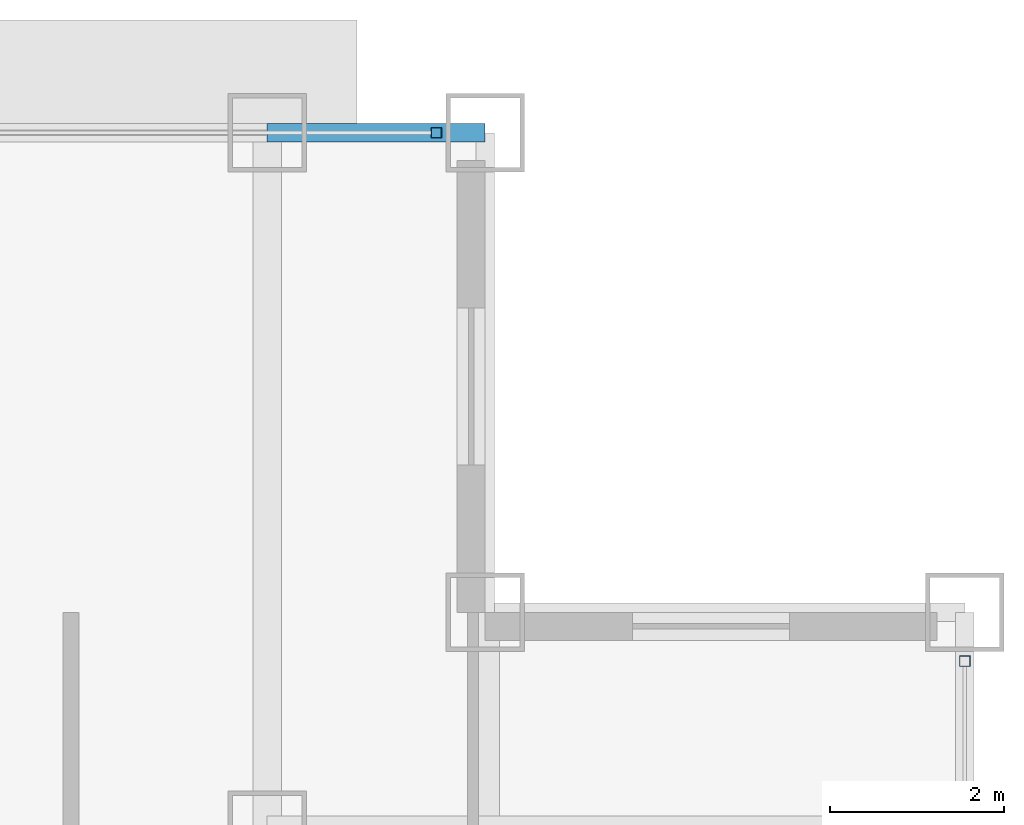
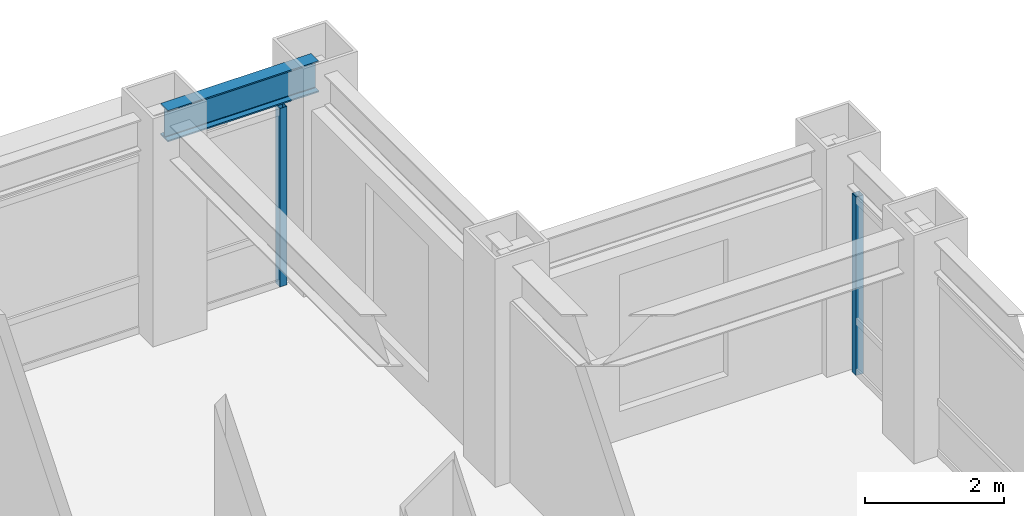
# One storey, part 18 of 29: 2 members, 1 beam, 2 elements without a shape of their own.
"""IFC4 building model written with IfcOpenShell, lengths in metres."""

from ifc_helpers import new_model, si_unit, direction, frame, origin, origin_2d, place, context, subcontext, project, spatial, hollow_rectangle, i_section, extrude, source, transform, mapped, material, material_profile, profile_set, type_object, element, aggregate, save


model = new_model("IFC4")

# Units and contexts
model_context = context("Model", 3, precision=1e-05, world=origin(), true_north=direction((0.0, 1.0)))
body_context = subcontext(model_context, "Body", "Model", "MODEL_VIEW")
ifc_project = project(units=[si_unit("LENGTHUNIT", "METRE"), si_unit("AREAUNIT", "SQUARE_METRE"), si_unit("VOLUMEUNIT", "CUBIC_METRE"), si_unit("PLANEANGLEUNIT", "RADIAN"), si_unit("MASSUNIT", "GRAM", prefix="KILO")], contexts=[model_context])

# Site, building, storey
site_placement = place(None, origin())
site = spatial("IfcSite", under=ifc_project, at=site_placement, CompositionType="ELEMENT")
building_placement = place(site_placement, origin())
building = spatial("IfcBuilding", under=site, at=building_placement, Name="Khorayat Bourse Tower", CompositionType="ELEMENT")
storey_placement = place(building_placement, frame((0.0, 0.0, 277.5)))
storey = spatial("IfcBuildingStorey", under=building, at=storey_placement, Name="L65", CompositionType="ELEMENT", Elevation=277.5)

# Beam
ifc_material_1 = material(Name="Steel ASTM A992 Grade 50", Category="steel")
ifc_material_profile_1 = material_profile(ifc_material_1, i_section(OverallWidth=0.214111328125, OverallDepth=0.549072265625, WebThickness=0.0146484375, FlangeThickness=0.023681640625, FilletRadius=0.013916015625, at=origin_2d()), Name="W530X138")
ifc_profile_set_1 = profile_set([ifc_material_profile_1], Name="Steel ASTM A992 Grade 50")
beam_type = type_object("IfcBeamType", Name="BM-SPAN-530", PredefinedType="SPANDREL", material=ifc_profile_set_1)
shared_shape_1 = source(origin(), body_context, "Body", "SweptSolid", [
    extrude(i_section(OverallWidth=0.214111328125, OverallDepth=0.549072265625, WebThickness=0.0146484375, FlangeThickness=0.023681640625, FilletRadius=0.013916015625, at=origin_2d()), origin(), (0.0, 0.0, 1.0), 2.5),
])
beam_placement = place(storey_placement, frame((20.0, 28.0, 3.505615234375), z_axis=(1.0, 0.0, 0.0), x_axis=(0.0, 1.0, 0.0)))
element("IfcBeam", 1, at=beam_placement, inside=storey, type_object=beam_type, Name="L65 BM-SPAN-530 BM-L65-SPN-044", PredefinedType="SPANDREL", context=body_context, shape_type="MappedRepresentation", body=[
    mapped(shared_shape_1, transform((0.0, 0.0, 0.0), scale=1.0)),
])

# Curtain wall, member
ifc_material_2 = material(Name="Aluminium EN AW-6063 T6", Category="aluminium")
curtain_wall_type = type_object("IfcCurtainWallType", Name="CW-SYS-04", PredefinedType="NOTDEFINED", material=ifc_material_2)
curtain_wall_1_placement = place(storey_placement, origin())
curtain_wall_1 = element("IfcCurtainWall", 2, at=curtain_wall_1_placement, inside=storey, type_object=curtain_wall_type, Name="L65 Curtain Wall CW-L65-N1", PredefinedType="NOTDEFINED")
ifc_material_profile_2 = material_profile(ifc_material_2, hollow_rectangle(XDim=0.1201171875, YDim=0.1201171875, WallThickness=0.0048828125, at=origin_2d()), Name="ALU 120x120x5")
ifc_profile_set_2 = profile_set([ifc_material_profile_2], Name="Aluminium EN AW-6063 T6")
member_type = type_object("IfcMemberType", Name="CWM-VERT-120", PredefinedType="MULLION", material=ifc_profile_set_2)
shared_shape_2 = source(origin(), body_context, "Body", "SweptSolid", [
    extrude(hollow_rectangle(XDim=0.1201171875, YDim=0.1201171875, WallThickness=0.0048828125, at=origin_2d()), origin(), (0.0, 0.0, 1.0), 3.1298828125),
])
member_1_placement = place(storey_placement, frame((21.93994140625, 28.0, 0.0), z_axis=(0.0, 0.0, 1.0), x_axis=(0.0, 1.0, 0.0)))
member_1 = element("IfcMember", 3, at=member_1_placement, type_object=member_type, Name="CW-L65-N1 Vertical Mullion 3", PredefinedType="MULLION", context=body_context, shape_type="MappedRepresentation", body=[
    mapped(shared_shape_2, transform((0.0, 0.0, 0.0), scale=1.0)),
])
aggregate(curtain_wall_1, [member_1])

curtain_wall_2_placement = place(storey_placement, origin())
curtain_wall_2 = element("IfcCurtainWall", 4, at=curtain_wall_2_placement, inside=storey, type_object=curtain_wall_type, Name="L65 Curtain Wall CW-L65-E1", PredefinedType="NOTDEFINED")
member_2_placement = place(storey_placement, frame((28.0, 21.93994140625, 0.0), z_axis=(0.0, 0.0, 1.0), x_axis=(-1.0, 0.0, 0.0)))
member_2 = element("IfcMember", 5, at=member_2_placement, type_object=member_type, Name="CW-L65-E1 Vertical Mullion 3", PredefinedType="MULLION", context=body_context, shape_type="MappedRepresentation", body=[
    mapped(shared_shape_2, transform((0.0, 0.0, 0.0), scale=1.0)),
])
aggregate(curtain_wall_2, [member_2])

save(model, "model.ifc")
